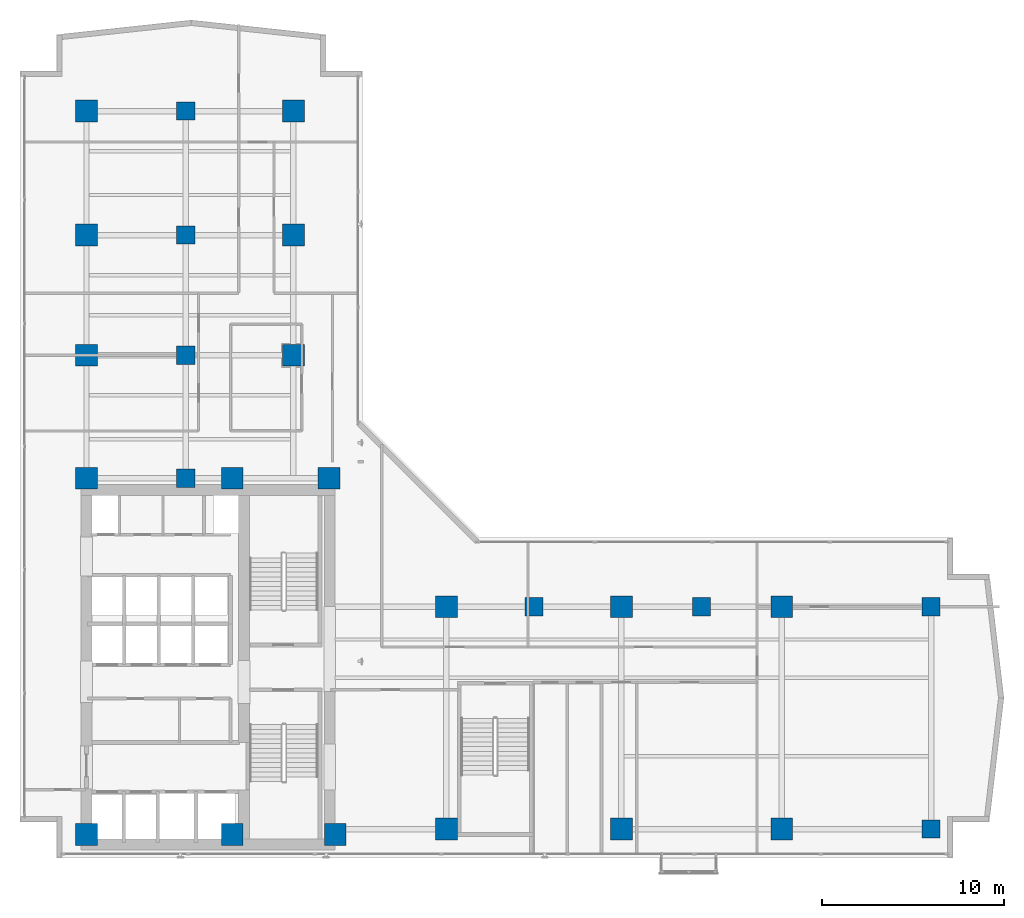
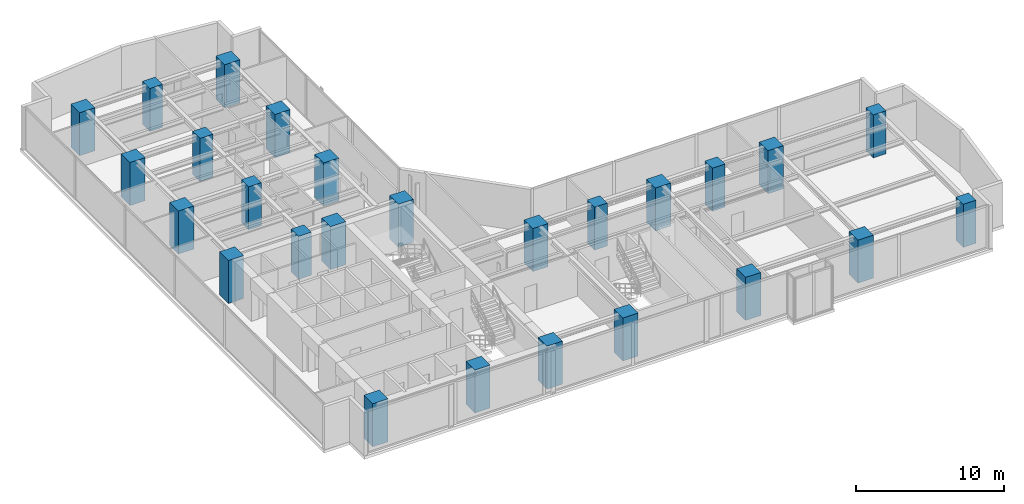
# One storey, part 1 of 26: 26 columns.
"""IFC4 building model written with IfcOpenShell, lengths in metres."""

from ifc_helpers import new_model, si_unit, direction, frame, origin, origin_2d, place, context, subcontext, project, spatial, rectangle, extrude, material, material_profile, profile_set, type_object, element, save


model = new_model("IFC4")

# Units and contexts
model_context = context("Model", 3, precision=1e-05, world=origin(), true_north=direction((0.0, 1.0)))
body_context = subcontext(model_context, "Body", "Model", "MODEL_VIEW")
ifc_project = project(units=[si_unit("LENGTHUNIT", "METRE"), si_unit("AREAUNIT", "SQUARE_METRE"), si_unit("VOLUMEUNIT", "CUBIC_METRE"), si_unit("PLANEANGLEUNIT", "RADIAN"), si_unit("MASSUNIT", "GRAM", prefix="KILO")], contexts=[model_context])

# Site, building, storey
site_placement = place(None, origin())
site = spatial("IfcSite", under=ifc_project, at=site_placement, CompositionType="ELEMENT")
building_placement = place(site_placement, origin())
building = spatial("IfcBuilding", under=site, at=building_placement, Name="Kolvaren Waterfront Exchange", CompositionType="ELEMENT")
storey_placement = place(building_placement, frame((0.0, 0.0, 165.199951171875)))
storey = spatial("IfcBuildingStorey", under=building, at=storey_placement, Name="L42", CompositionType="ELEMENT", Elevation=165.199951171875)

# Columns
ifc_material = material(Name="Concrete C60/75", Category="concrete")
ifc_material_profile_1 = material_profile(ifc_material, rectangle(XDim=1.0, YDim=1.0, at=origin_2d()), Name="RC-COL-1000x1000")
ifc_profile_set_1 = profile_set([ifc_material_profile_1], Name="Concrete C60/75")
column_type_1 = type_object("IfcColumnType", Name="STR-COL-1000-C60", PredefinedType="COLUMN", material=ifc_profile_set_1)
for number, where, z_axis, x_axis, name in (
    (1, (53.800048828125, 5.199951171875, 0.0), (0.0, 0.0, 1.0), (1.0, 0.0, 0.0), "L42 column ZC01"),
    (2, (53.800048828125, 17.39990234375, 0.0), (0.0, 0.0, 1.0), (1.0, 0.0, 0.0), "L42 column ZC02"),
    (3, (12.89990234375, 24.449951171875, 0.0), (0.0, 0.0, 1.0), (1.0, 0.0, 0.0), "L42 column TC01"),
    (4, (12.89990234375, 31.199951171875, 0.0), (0.0, 0.0, 1.0), (1.0, 0.0, 0.0), "L42 column TC02"),
    (5, (12.89990234375, 37.800048828125, 0.0), (0.0, 0.0, 1.0), (1.0, 0.0, 0.0), "L42 column TC03"),
    (6, (12.89990234375, 44.60009765625, 0.0), (0.0, 0.0, 1.0), (1.0, 0.0, 0.0), "L42 column TC04"),
    (7, (32.0, 17.39990234375, 0.0), (0.0, 0.0, 1.0), (1.0, 0.0, 0.0), "L42 column TC05"),
    (8, (41.199951171875, 17.39990234375, 0.0), (0.0, 0.0, 1.0), (1.0, 0.0, 0.0), "L42 column TC06"),
):
    element("IfcColumn", number, at=place(storey_placement, frame(where, z_axis=z_axis, x_axis=x_axis)), inside=storey, type_object=column_type_1, Name=name, PredefinedType="COLUMN", context=body_context, shape_type="SweptSolid", body=[
        extrude(rectangle(XDim=1.0, YDim=1.0, at=origin_2d()), origin(), (0.0, 0.0, 1.0), 3.56005859375),
    ])
ifc_material_profile_2 = material_profile(ifc_material, rectangle(XDim=1.199951171875, YDim=1.199951171875, at=origin_2d()), Name="RC-COL-1200x1200")
ifc_profile_set_2 = profile_set([ifc_material_profile_2], Name="Concrete C60/75")
column_type_2 = type_object("IfcColumnType", Name="STR-COL-1200-C60", PredefinedType="COLUMN", material=ifc_profile_set_2)
for number, where, z_axis, x_axis, name in (
    (9, (7.449951171875, 4.89990234375, 0.0), (0.0, 0.0, 1.0), (1.0, 0.0, 0.0), "L42 column MC01"),
    (10, (15.449951171875, 4.89990234375, 0.0), (0.0, 0.0, 1.0), (1.0, 0.0, 0.0), "L42 column MC02"),
    (11, (21.10009765625, 4.89990234375, 0.0), (0.0, 0.0, 1.0), (1.0, 0.0, 0.0), "L42 column MC03"),
    (12, (7.449951171875, 24.449951171875, 0.0), (0.0, 0.0, 1.0), (1.0, 0.0, 0.0), "L42 column MC04"),
    (13, (15.449951171875, 24.449951171875, 0.0), (0.0, 0.0, 1.0), (1.0, 0.0, 0.0), "L42 column MC05"),
    (14, (20.75, 24.449951171875, 0.0), (0.0, 0.0, 1.0), (1.0, 0.0, 0.0), "L42 column MC06"),
    (15, (7.449951171875, 31.199951171875, 0.0), (0.0, 0.0, 1.0), (1.0, 0.0, 0.0), "L42 column NC01"),
    (16, (7.449951171875, 37.800048828125, 0.0), (0.0, 0.0, 1.0), (1.0, 0.0, 0.0), "L42 column NC02"),
    (17, (7.449951171875, 44.60009765625, 0.0), (0.0, 0.0, 1.0), (1.0, 0.0, 0.0), "L42 column NC03"),
    (18, (18.800048828125, 31.199951171875, 0.0), (0.0, 0.0, 1.0), (1.0, 0.0, 0.0), "L42 column NC04"),
    (19, (18.800048828125, 37.800048828125, 0.0), (0.0, 0.0, 1.0), (1.0, 0.0, 0.0), "L42 column NC05"),
    (20, (18.800048828125, 44.60009765625, 0.0), (0.0, 0.0, 1.0), (1.0, 0.0, 0.0), "L42 column NC06"),
    (21, (27.199951171875, 5.199951171875, 0.0), (0.0, 0.0, 1.0), (1.0, 0.0, 0.0), "L42 column EC01"),
    (22, (36.800048828125, 5.199951171875, 0.0), (0.0, 0.0, 1.0), (1.0, 0.0, 0.0), "L42 column EC02"),
    (23, (45.60009765625, 5.199951171875, 0.0), (0.0, 0.0, 1.0), (1.0, 0.0, 0.0), "L42 column EC03"),
    (24, (27.199951171875, 17.39990234375, 0.0), (0.0, 0.0, 1.0), (1.0, 0.0, 0.0), "L42 column EC04"),
    (25, (36.800048828125, 17.39990234375, 0.0), (0.0, 0.0, 1.0), (1.0, 0.0, 0.0), "L42 column EC05"),
    (26, (45.60009765625, 17.39990234375, 0.0), (0.0, 0.0, 1.0), (1.0, 0.0, 0.0), "L42 column EC06"),
):
    element("IfcColumn", number, at=place(storey_placement, frame(where, z_axis=z_axis, x_axis=x_axis)), inside=storey, type_object=column_type_2, Name=name, PredefinedType="COLUMN", context=body_context, shape_type="SweptSolid", body=[
        extrude(rectangle(XDim=1.199951171875, YDim=1.199951171875, at=origin_2d()), origin(), (0.0, 0.0, 1.0), 3.56005859375),
    ])

save(model, "model.ifc")
